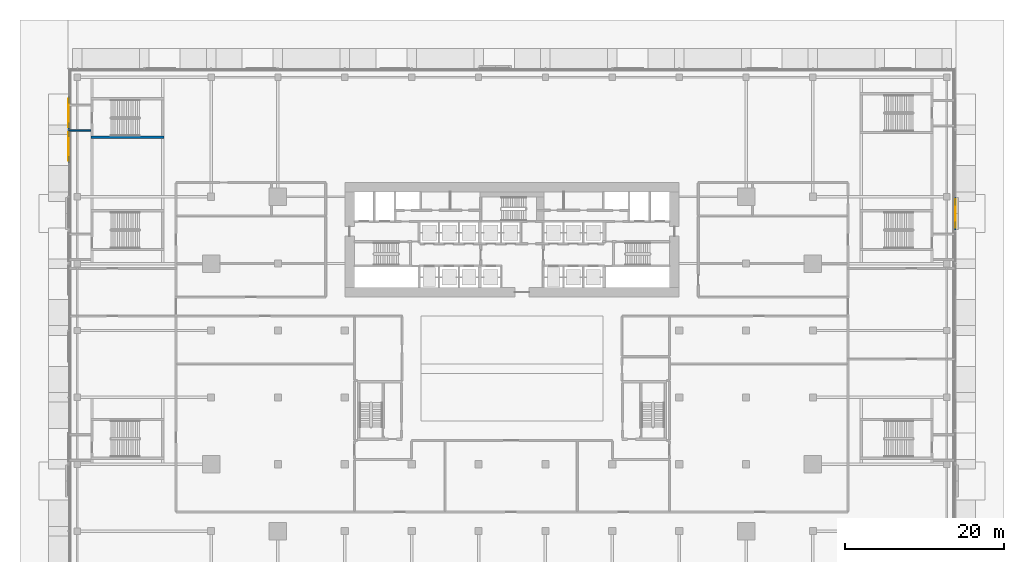
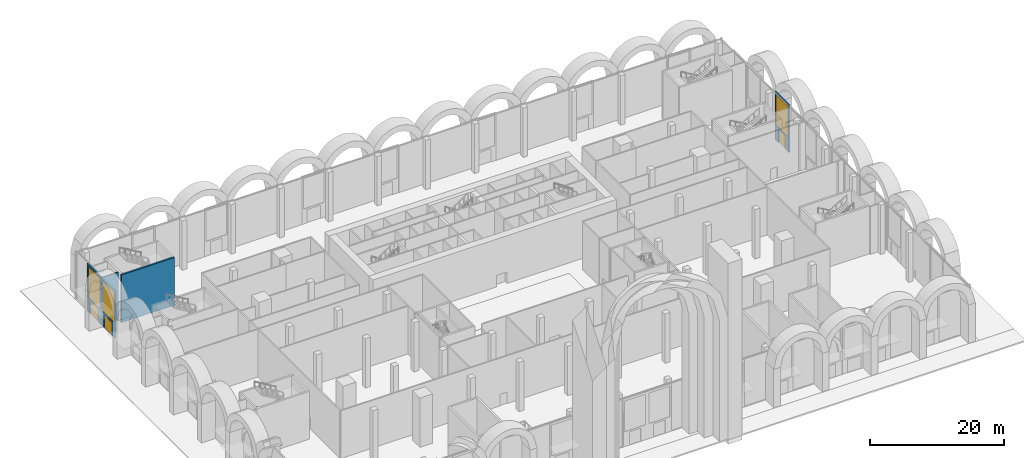
# One storey, part 28 of 43: 5 walls, 3 doors, 3 windows, 6 openings.
"""IFC4 building model written with IfcOpenShell, lengths in metres."""

from ifc_helpers import new_model, si_unit, direction, frame, frame_2d, origin, place, context, subcontext, project, spatial, rectangle, extrude, material, layer, layer_set, type_object, element, fill, save


model = new_model("IFC4")

# Units and contexts
model_context = context("Model", 3, precision=1e-05, world=origin(), true_north=direction((0.0, 1.0)))
body_context = subcontext(model_context, "Body", "Model", "MODEL_VIEW")
ifc_project = project(units=[si_unit("LENGTHUNIT", "METRE"), si_unit("AREAUNIT", "SQUARE_METRE"), si_unit("VOLUMEUNIT", "CUBIC_METRE"), si_unit("PLANEANGLEUNIT", "RADIAN"), si_unit("MASSUNIT", "GRAM", prefix="KILO")], contexts=[model_context])

# Site, building, storey
site_placement = place(None, origin())
site = spatial("IfcSite", under=ifc_project, at=site_placement, CompositionType="ELEMENT")
building_placement = place(site_placement, origin())
building = spatial("IfcBuilding", under=site, at=building_placement, Name="Saffron Gate Tower", CompositionType="ELEMENT")
storey_placement = place(building_placement, origin())
storey = spatial("IfcBuildingStorey", under=building, at=storey_placement, Name="L00", CompositionType="ELEMENT", Elevation=0.0)

# Walls
ifc_material_1 = material(Name="Gypsum board partition on steel studs", Category="steel")
ifc_layer_1 = layer(ifc_material_1, 0.199951171875)
ifc_layer_set_1 = layer_set([ifc_layer_1], Name="CW10 Core partition 200")
wall_type_1 = type_object("IfcWallType", Name="CW10 Core partition 200", PredefinedType="PARTITIONING", material=ifc_layer_set_1)
wall_1_placement = place(storey_placement, frame((32.0, 82.10009765625, 0.0), z_axis=(0.0, 0.0, 1.0), x_axis=(1.0, 0.0, 0.0)))
element("IfcWall", 1, at=wall_1_placement, inside=storey, type_object=wall_type_1, Name="Wall CW10-L00-XS-FA", PredefinedType="PARTITIONING", context=body_context, shape_type="SweptSolid", body=[
    extrude(rectangle(XDim=2.699951171875, YDim=0.199951171875, at=frame_2d((1.35009765625, 0.0))), origin(), (0.0, 0.0, 1.0), 8.699951171875),
])
ifc_material_2 = material(Name="Concrete C70", Category="concrete")
ifc_layer_2 = layer(ifc_material_2, 0.300048828125)
ifc_layer_set_2 = layer_set([ifc_layer_2], Name="CW5 RC core wall 300 C70")
wall_type_2 = type_object("IfcWallType", Name="CW5 RC core wall 300 C70", PredefinedType="SOLIDWALL", material=ifc_layer_set_2)
wall_2_placement = place(storey_placement, frame((34.699951171875, 81.27490234375, 0.0), z_axis=(0.0, 0.0, 1.0), x_axis=(1.0, 0.0, 0.0)))
element("IfcWall", 2, at=wall_2_placement, inside=storey, type_object=wall_type_2, Name="Wall CW5-L00-F-1", PredefinedType="SOLIDWALL", context=body_context, shape_type="SweptSolid", body=[
    extrude(rectangle(XDim=9.199951171875, YDim=0.300048828125, at=frame_2d((4.60009765625, 0.0))), origin(), (0.0, 0.0, 1.0), 8.699951171875),
])

# Wall, openings, door, window
ifc_material_3 = material(Name="Reinforced concrete C40/50 clad in bronze panels", Category="concrete")
ifc_layer_3 = layer(ifc_material_3, 0.199951171875)
ifc_layer_set_3 = layer_set([ifc_layer_3], Name="WBAY1 entrance bay wall")
wall_type_3 = type_object("IfcWallType", Name="WBAY1 entrance bay wall", PredefinedType="SOLIDWALL", material=ifc_layer_set_3)
wall_3_placement = place(storey_placement, frame((143.300048828125, 73.760009765625, 0.0), z_axis=(0.0, 0.0, 1.0), x_axis=(0.0, -1.0, 0.0)))
wall_3 = element("IfcWall", 3, at=wall_3_placement, inside=storey, type_object=wall_type_3, Name="ENTRANCE BAY wall", PredefinedType="SOLIDWALL", context=body_context, shape_type="SweptSolid", body=[
    extrude(rectangle(XDim=4.1201171875, YDim=0.199951171875, at=frame_2d((2.06005859375, 0.0))), origin(), (0.0, 0.0, 1.0), 8.699951171875),
])
opening_1_placement = place(wall_3_placement, frame((1.06005859375, 0.0, 0.0)))
opening_1 = element("IfcOpeningElement", 4, at=opening_1_placement, cuts=wall_3, Name="Opening E07", PredefinedType="OPENING", context=body_context, shape_type="SweptSolid", body=[
    extrude(rectangle(XDim=2.0, YDim=2.39990234375, at=frame_2d((1.0, 1.199951171875))), frame((0.0, 0.10986328125, 0.0), z_axis=(0.0, -1.0, 0.0), x_axis=(1.0, 0.0, 0.0)), (0.0, 0.0, 1.0), 0.219970703125),
])
opening_2_placement = place(wall_3_placement, frame((0.260009765625, 0.0, 2.699951171875)))
opening_2 = element("IfcOpeningElement", 5, at=opening_2_placement, cuts=wall_3, Name="Opening W9", PredefinedType="OPENING", context=body_context, shape_type="SweptSolid", body=[
    extrude(rectangle(XDim=3.60009765625, YDim=5.60009765625, at=frame_2d((1.800048828125, 2.800048828125))), frame((0.0, 0.10986328125, 0.0), z_axis=(0.0, -1.0, 0.0), x_axis=(1.0, 0.0, 0.0)), (0.0, 0.0, 1.0), 0.219970703125),
])
ifc_material_4 = material(Name="Bronze lattice gate, anodised aluminium", Category="aluminium")
ifc_layer_4 = layer(ifc_material_4, 0.050048828125)
ifc_layer_set_4 = layer_set([ifc_layer_4], Name="G1 entrance gate 2000x2400")
door_type_1 = type_object("IfcDoorType", Name="G1 entrance gate 2000x2400", OperationType="DOUBLE_DOOR_SINGLE_SWING", PredefinedType="GATE", material=ifc_layer_set_4)
door_1_placement = place(opening_1_placement, origin())
door_1 = element("IfcDoor", 6, at=door_1_placement, inside=storey, type_object=door_type_1, Name="GATE E07", OperationType="DOUBLE_DOOR_SINGLE_SWING", OverallHeight=2.39990234375, OverallWidth=2.0, PredefinedType="GATE", context=body_context, shape_type="SweptSolid", body=[
    extrude(rectangle(XDim=2.0, YDim=2.39990234375, at=frame_2d((1.0, 1.199951171875))), frame((0.0, 0.02490234375, 0.0), z_axis=(0.0, -1.0, 0.0), x_axis=(1.0, 0.0, 0.0)), (0.0, 0.0, 1.0), 0.050048828125),
])
fill(opening_1, door_1)
ifc_material_5 = material(Name="Clear low-iron laminated glass in bronze frame", Category="glass")
ifc_layer_5 = layer(ifc_material_5, 0.06005859375)
ifc_layer_set_5 = layer_set([ifc_layer_5], Name="W9 entrance light")
window_type = type_object("IfcWindowType", Name="W9 entrance light", PartitioningType="SINGLE_PANEL", PredefinedType="WINDOW", material=ifc_layer_set_5)
window_1_placement = place(opening_2_placement, origin())
window_1 = element("IfcWindow", 7, at=window_1_placement, inside=storey, type_object=window_type, Name="W9 entrance light", OverallHeight=5.60009765625, OverallWidth=3.60009765625, PartitioningType="SINGLE_PANEL", PredefinedType="WINDOW", context=body_context, shape_type="SweptSolid", body=[
    extrude(rectangle(XDim=3.60009765625, YDim=5.60009765625, at=frame_2d((1.800048828125, 2.800048828125))), frame((0.0, 0.030029296875, 0.0), z_axis=(0.0, -1.0, 0.0), x_axis=(1.0, 0.0, 0.0)), (0.0, 0.0, 1.0), 0.06005859375),
])
fill(opening_2, window_1)

# Wall, openings, window, door
wall_4_placement = place(storey_placement, frame((31.89990234375, 78.0400390625, 0.0), z_axis=(0.0, 0.0, 1.0), x_axis=(0.0, 1.0, 0.0)))
wall_4 = element("IfcWall", 8, at=wall_4_placement, inside=storey, type_object=wall_type_3, Name="ENTRANCE BAY wall", PredefinedType="SOLIDWALL", context=body_context, shape_type="SweptSolid", body=[
    extrude(rectangle(XDim=4.119873046875, YDim=0.199951171875, at=frame_2d((2.06005859375, 0.0))), origin(), (0.0, 0.0, 1.0), 8.699951171875),
])
opening_3_placement = place(wall_4_placement, frame((0.860107421875, 0.0, 0.0)))
opening_3 = element("IfcOpeningElement", 9, at=opening_3_placement, cuts=wall_4, Name="Opening E21", PredefinedType="OPENING", context=body_context, shape_type="SweptSolid", body=[
    extrude(rectangle(XDim=2.39990234375, YDim=2.39990234375, at=frame_2d((1.199951171875, 1.199951171875))), frame((0.0, 0.10986328125, 0.0), z_axis=(0.0, -1.0, 0.0), x_axis=(1.0, 0.0, 0.0)), (0.0, 0.0, 1.0), 0.219970703125),
])
opening_4_placement = place(wall_4_placement, frame((0.260009765625, 0.0, 2.699951171875)))
opening_4 = element("IfcOpeningElement", 10, at=opening_4_placement, cuts=wall_4, Name="Opening W9", PredefinedType="OPENING", context=body_context, shape_type="SweptSolid", body=[
    extrude(rectangle(XDim=3.60009765625, YDim=5.60009765625, at=frame_2d((1.800048828125, 2.800048828125))), frame((0.0, 0.10986328125, 0.0), z_axis=(0.0, -1.0, 0.0), x_axis=(1.0, 0.0, 0.0)), (0.0, 0.0, 1.0), 0.219970703125),
])
window_2_placement = place(opening_4_placement, origin())
window_2 = element("IfcWindow", 11, at=window_2_placement, inside=storey, type_object=window_type, Name="W9 entrance light", OverallHeight=5.60009765625, OverallWidth=3.60009765625, PartitioningType="SINGLE_PANEL", PredefinedType="WINDOW", context=body_context, shape_type="SweptSolid", body=[
    extrude(rectangle(XDim=3.60009765625, YDim=5.60009765625, at=frame_2d((1.800048828125, 2.800048828125))), frame((0.0, 0.030029296875, 0.0), z_axis=(0.0, -1.0, 0.0), x_axis=(1.0, 0.0, 0.0)), (0.0, 0.0, 1.0), 0.06005859375),
])
fill(opening_4, window_2)
ifc_material_6 = material(Name="Bronze-framed toughened glass", Category="glass")
ifc_layer_6 = layer(ifc_material_6, 0.050048828125)
ifc_layer_set_6 = layer_set([ifc_layer_6], Name="X1 exit double door 2400x2400")
door_type_2 = type_object("IfcDoorType", Name="X1 exit double door 2400x2400", OperationType="DOUBLE_DOOR_SINGLE_SWING", PredefinedType="DOOR", material=ifc_layer_set_6)
door_2_placement = place(opening_3_placement, origin())
door_2 = element("IfcDoor", 12, at=door_2_placement, inside=storey, type_object=door_type_2, Name="EXIT E21", OperationType="DOUBLE_DOOR_SINGLE_SWING", OverallHeight=2.39990234375, OverallWidth=2.39990234375, PredefinedType="DOOR", context=body_context, shape_type="SweptSolid", body=[
    extrude(rectangle(XDim=2.39990234375, YDim=2.39990234375, at=frame_2d((1.199951171875, 1.199951171875))), frame((0.0, 0.02490234375, 0.0), z_axis=(0.0, -1.0, 0.0), x_axis=(1.0, 0.0, 0.0)), (0.0, 0.0, 1.0), 0.050048828125),
])
fill(opening_3, door_2)

wall_5_placement = place(storey_placement, frame((31.89990234375, 82.239990234375, 0.0), z_axis=(0.0, 0.0, 1.0), x_axis=(0.0, 1.0, 0.0)))
wall_5 = element("IfcWall", 13, at=wall_5_placement, inside=storey, type_object=wall_type_3, Name="ENTRANCE BAY wall", PredefinedType="SOLIDWALL", context=body_context, shape_type="SweptSolid", body=[
    extrude(rectangle(XDim=4.1201171875, YDim=0.199951171875, at=frame_2d((2.06005859375, 0.0))), origin(), (0.0, 0.0, 1.0), 8.699951171875),
])
opening_5_placement = place(wall_5_placement, frame((0.860107421875, 0.0, 0.0)))
opening_5 = element("IfcOpeningElement", 14, at=opening_5_placement, cuts=wall_5, Name="Opening E29", PredefinedType="OPENING", context=body_context, shape_type="SweptSolid", body=[
    extrude(rectangle(XDim=2.39990234375, YDim=2.39990234375, at=frame_2d((1.199951171875, 1.199951171875))), frame((0.0, 0.10986328125, 0.0), z_axis=(0.0, -1.0, 0.0), x_axis=(1.0, 0.0, 0.0)), (0.0, 0.0, 1.0), 0.219970703125),
])
opening_6_placement = place(wall_5_placement, frame((0.260009765625, 0.0, 2.699951171875)))
opening_6 = element("IfcOpeningElement", 15, at=opening_6_placement, cuts=wall_5, Name="Opening W9", PredefinedType="OPENING", context=body_context, shape_type="SweptSolid", body=[
    extrude(rectangle(XDim=3.60009765625, YDim=5.60009765625, at=frame_2d((1.800048828125, 2.800048828125))), frame((0.0, 0.10986328125, 0.0), z_axis=(0.0, -1.0, 0.0), x_axis=(1.0, 0.0, 0.0)), (0.0, 0.0, 1.0), 0.219970703125),
])
window_3_placement = place(opening_6_placement, origin())
window_3 = element("IfcWindow", 16, at=window_3_placement, inside=storey, type_object=window_type, Name="W9 entrance light", OverallHeight=5.60009765625, OverallWidth=3.60009765625, PartitioningType="SINGLE_PANEL", PredefinedType="WINDOW", context=body_context, shape_type="SweptSolid", body=[
    extrude(rectangle(XDim=3.60009765625, YDim=5.60009765625, at=frame_2d((1.800048828125, 2.800048828125))), frame((0.0, 0.030029296875, 0.0), z_axis=(0.0, -1.0, 0.0), x_axis=(1.0, 0.0, 0.0)), (0.0, 0.0, 1.0), 0.06005859375),
])
fill(opening_6, window_3)
door_3_placement = place(opening_5_placement, origin())
door_3 = element("IfcDoor", 17, at=door_3_placement, inside=storey, type_object=door_type_2, Name="EXIT E29", OperationType="DOUBLE_DOOR_SINGLE_SWING", OverallHeight=2.39990234375, OverallWidth=2.39990234375, PredefinedType="DOOR", context=body_context, shape_type="SweptSolid", body=[
    extrude(rectangle(XDim=2.39990234375, YDim=2.39990234375, at=frame_2d((1.199951171875, 1.199951171875))), frame((0.0, 0.02490234375, 0.0), z_axis=(0.0, -1.0, 0.0), x_axis=(1.0, 0.0, 0.0)), (0.0, 0.0, 1.0), 0.050048828125),
])
fill(opening_5, door_3)

save(model, "model.ifc")
